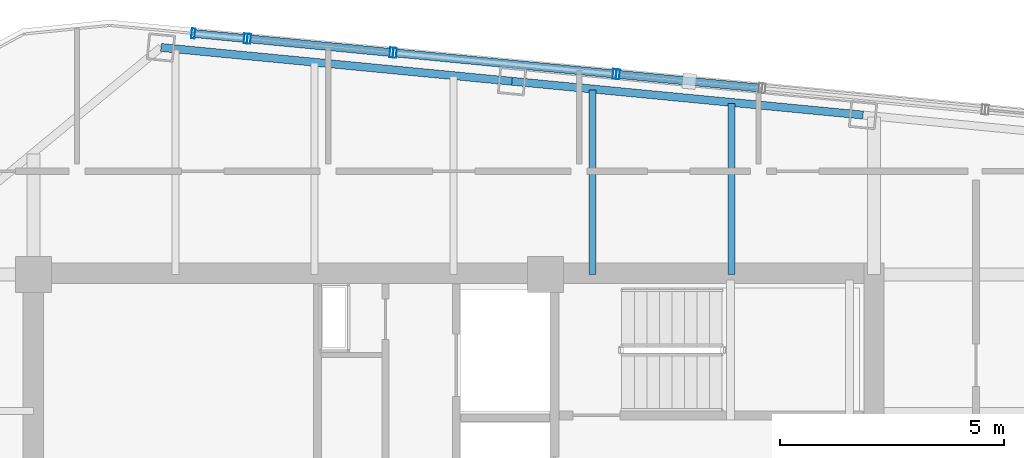
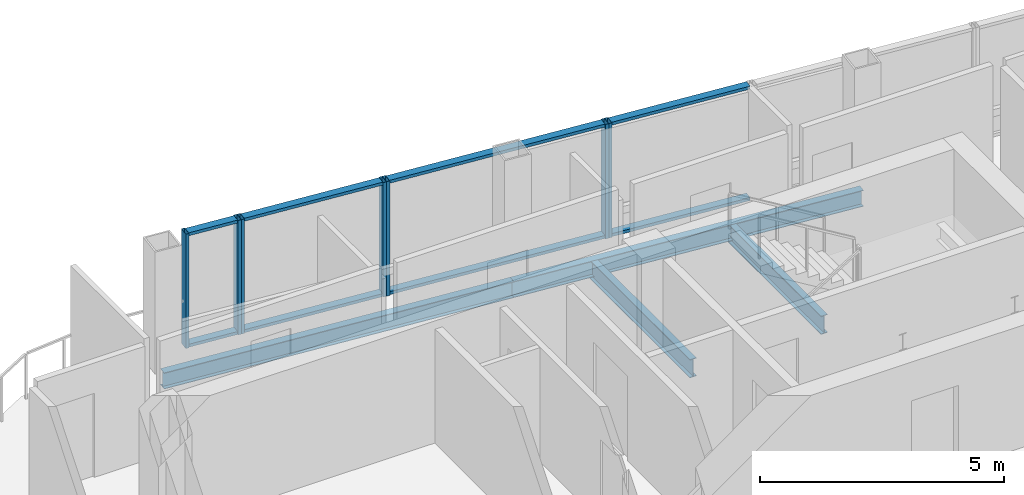
# One storey, part 17 of 27: 15 members, 4 beams, 4 elements without a shape of their own.
"""IFC4 building model written with IfcOpenShell, lengths in metres."""

from ifc_helpers import new_model, si_unit, direction, frame, origin, origin_2d, place, context, subcontext, project, spatial, hollow_rectangle, i_section, extrude, material, layer, layer_set, material_profile, profile_set, type_object, element, aggregate, save


model = new_model("IFC4")

# Units and contexts
model_context = context("Model", 3, precision=1e-05, world=origin(), true_north=direction((0.0, 1.0)))
body_context = subcontext(model_context, "Body", "Model", "MODEL_VIEW")
ifc_project = project(units=[si_unit("LENGTHUNIT", "METRE"), si_unit("AREAUNIT", "SQUARE_METRE"), si_unit("VOLUMEUNIT", "CUBIC_METRE"), si_unit("PLANEANGLEUNIT", "RADIAN"), si_unit("MASSUNIT", "GRAM", prefix="KILO")], contexts=[model_context])

# Site, building, storey
site_placement = place(None, origin())
site = spatial("IfcSite", under=ifc_project, at=site_placement, CompositionType="ELEMENT")
building_placement = place(site_placement, origin())
building = spatial("IfcBuilding", under=site, at=building_placement, Name="Qhalaya Broadcast Tower", CompositionType="ELEMENT")
storey_placement = place(building_placement, frame((0.0, 0.0, 258.10009765625)))
storey = spatial("IfcBuildingStorey", under=building, at=storey_placement, Name="L76", CompositionType="ELEMENT", Elevation=258.10009765625)

# Beams
ifc_material_1 = material(Name="Structural Steel ASTM A992 Grade 50", Category="steel")
ifc_material_profile_1 = material_profile(ifc_material_1, i_section(OverallWidth=0.154052734375, OverallDepth=0.458984375, WebThickness=0.009033203125, FlangeThickness=0.015380859375, at=origin_2d()), Name="W18X46")
ifc_profile_set_1 = profile_set([ifc_material_profile_1], Name="Structural Steel ASTM A992 Grade 50")
beam_type_1 = type_object("IfcBeamType", Name="Composite Floor Joist J04", PredefinedType="JOIST", material=ifc_profile_set_1)
beam_1_placement = place(storey_placement, frame((3.10009765625, 9.949951171875, -0.419677734375), z_axis=(0.0, 1.0, 0.0), x_axis=(-1.0, 0.0, 0.0)))
element("IfcBeam", 1, at=beam_1_placement, inside=storey, type_object=beam_type_1, Name="L76 J04 L76-JNN4-1", PredefinedType="JOIST", context=body_context, shape_type="SweptSolid", body=[
    extrude(i_section(OverallWidth=0.154052734375, OverallDepth=0.458984375, WebThickness=0.009033203125, FlangeThickness=0.015380859375, at=origin_2d()), origin(), (0.0, 0.0, 1.0), 4.11328125),
])
beam_2_placement = place(storey_placement, frame((6.199951171875, 9.949951171875, -0.419677734375), z_axis=(0.0, 1.0, 0.0), x_axis=(-1.0, 0.0, 0.0)))
element("IfcBeam", 2, at=beam_2_placement, inside=storey, type_object=beam_type_1, Name="L76 J04 L76-JNN5-1", PredefinedType="JOIST", context=body_context, shape_type="SweptSolid", body=[
    extrude(i_section(OverallWidth=0.154052734375, OverallDepth=0.458984375, WebThickness=0.009033203125, FlangeThickness=0.015380859375, at=origin_2d()), origin(), (0.0, 0.0, 1.0), 3.814697265625),
])

# Curtain wall, member
ifc_material_2 = material(Name="Solar-Control Low-E Triple Glazing", Category="glass")
ifc_layer_1 = layer(ifc_material_2, 0.219970703125, Name="Solar-Control Low-E Triple Glazing")
ifc_layer_set_1 = layer_set([ifc_layer_1], Name="Solar-Control Low-E Triple Glazing")
curtain_wall_type_1 = type_object("IfcCurtainWallType", Name="High-Altitude Upper-Shaft Triple Low-E Curtain Wall CW-04", PredefinedType="NOTDEFINED", material=ifc_layer_set_1)
curtain_wall_1_placement = place(storey_placement, origin())
curtain_wall_1 = element("IfcCurtainWall", 3, at=curtain_wall_1_placement, inside=storey, type_object=curtain_wall_type_1, Name="L76 Unitised Curtain Wall L76-CW-N4", PredefinedType="NOTDEFINED")
ifc_material_3 = material(Name="Anodised Aluminium 6063-T6", Category="aluminium")
ifc_material_profile_2 = material_profile(ifc_material_3, hollow_rectangle(XDim=0.074951171875, YDim=0.219970703125, WallThickness=0.00390625, at=origin_2d()), Name="ALU-MUL 75x220x4")
ifc_profile_set_2 = profile_set([ifc_material_profile_2], Name="Anodised Aluminium 6063-T6")
member_type_1 = type_object("IfcMemberType", Name="Unitised Curtain-Wall Mullion M01", PredefinedType="MULLION", material=ifc_profile_set_2)
member_1_placement = place(storey_placement, frame((3.66552734375, 14.41064453125, 0.0), z_axis=(0.0, 0.0, 1.0), x_axis=(-0.995396959799, 0.095837844424, 0.0)))
member_1 = element("IfcMember", 4, at=member_1_placement, type_object=member_type_1, Name="CW-04 mullion 2", PredefinedType="MULLION", context=body_context, shape_type="SweptSolid", body=[
    extrude(hollow_rectangle(XDim=0.074951171875, YDim=0.219970703125, WallThickness=0.00390625, at=origin_2d()), origin(), (0.0, 0.0, 1.0), 2.85986328125),
])

# Curtain wall, members
ifc_material_4 = material(Name="Fired Architectural Terracotta", Category="masonry")
ifc_layer_2 = layer(ifc_material_4, 0.219970703125, Name="Fired Architectural Terracotta")
ifc_layer_set_2 = layer_set([ifc_layer_2], Name="Fired Architectural Terracotta")
curtain_wall_type_2 = type_object("IfcCurtainWallType", Name="Block-Cap Unitised Terracotta Spandrel Wall CW-07", PredefinedType="NOTDEFINED", material=ifc_layer_set_2)
curtain_wall_2_placement = place(storey_placement, origin())
curtain_wall_2 = element("IfcCurtainWall", 5, at=curtain_wall_2_placement, inside=storey, type_object=curtain_wall_type_2, Name="L76 Unitised Curtain Wall L76-CW-N5", PredefinedType="NOTDEFINED")
member_2_placement = place(storey_placement, frame((3.591064453125, 14.417724609375, 0.0), z_axis=(0.0, 0.0, 1.0), x_axis=(-0.995394873929, 0.095859506338, 0.0)))
member_2 = element("IfcMember", 6, at=member_2_placement, type_object=member_type_1, Name="CW-07 mullion 1", PredefinedType="MULLION", context=body_context, shape_type="SweptSolid", body=[
    extrude(hollow_rectangle(XDim=0.074951171875, YDim=0.219970703125, WallThickness=0.00390625, at=origin_2d()), origin(), (0.0, 0.0, 1.0), 2.85986328125),
])
member_3_placement = place(storey_placement, frame((-1.311279296875, 14.889892578125, 0.0), z_axis=(0.0, 0.0, 1.0), x_axis=(-0.995394873929, 0.095859506338, 0.0)))
member_3 = element("IfcMember", 7, at=member_3_placement, type_object=member_type_1, Name="CW-07 mullion 2", PredefinedType="MULLION", context=body_context, shape_type="SweptSolid", body=[
    extrude(hollow_rectangle(XDim=0.074951171875, YDim=0.219970703125, WallThickness=0.00390625, at=origin_2d()), origin(), (0.0, 0.0, 1.0), 2.85986328125),
])

curtain_wall_3_placement = place(storey_placement, origin())
curtain_wall_3 = element("IfcCurtainWall", 8, at=curtain_wall_3_placement, inside=storey, type_object=curtain_wall_type_1, Name="L76 Unitised Curtain Wall L76-CW-N6", PredefinedType="NOTDEFINED")
member_4_placement = place(storey_placement, frame((-1.385986328125, 14.89697265625, 0.0), z_axis=(0.0, 0.0, 1.0), x_axis=(-0.995397132343, 0.095836052317, 0.0)))
member_4 = element("IfcMember", 9, at=member_4_placement, type_object=member_type_1, Name="CW-04 mullion 1", PredefinedType="MULLION", context=body_context, shape_type="SweptSolid", body=[
    extrude(hollow_rectangle(XDim=0.074951171875, YDim=0.219970703125, WallThickness=0.00390625, at=origin_2d()), origin(), (0.0, 0.0, 1.0), 2.85986328125),
])
member_5_placement = place(storey_placement, frame((-4.5634765625, 15.203125, 0.0), z_axis=(0.0, 0.0, 1.0), x_axis=(-0.995397132343, 0.095836052317, 0.0)))
member_5 = element("IfcMember", 10, at=member_5_placement, type_object=member_type_1, Name="CW-04 mullion 2", PredefinedType="MULLION", context=body_context, shape_type="SweptSolid", body=[
    extrude(hollow_rectangle(XDim=0.074951171875, YDim=0.219970703125, WallThickness=0.00390625, at=origin_2d()), origin(), (0.0, 0.0, 1.0), 2.85986328125),
])

curtain_wall_4_placement = place(storey_placement, origin())
curtain_wall_4 = element("IfcCurtainWall", 11, at=curtain_wall_4_placement, inside=storey, type_object=curtain_wall_type_2, Name="L76 Unitised Curtain Wall L76-CW-N7", PredefinedType="NOTDEFINED")
member_6_placement = place(storey_placement, frame((-4.637939453125, 15.210205078125, 0.0), z_axis=(0.0, 0.0, 1.0), x_axis=(-0.995396414656, 0.095843506251, 0.0)))
member_6 = element("IfcMember", 12, at=member_6_placement, type_object=member_type_1, Name="CW-07 mullion 1", PredefinedType="MULLION", context=body_context, shape_type="SweptSolid", body=[
    extrude(hollow_rectangle(XDim=0.074951171875, YDim=0.219970703125, WallThickness=0.00390625, at=origin_2d()), origin(), (0.0, 0.0, 1.0), 2.85986328125),
])
member_7_placement = place(storey_placement, frame((-5.8076171875, 15.32275390625, 0.0), z_axis=(0.0, 0.0, 1.0), x_axis=(-0.995396414656, 0.095843506251, 0.0)))
member_7 = element("IfcMember", 13, at=member_7_placement, type_object=member_type_1, Name="CW-07 mullion 2", PredefinedType="MULLION", context=body_context, shape_type="SweptSolid", body=[
    extrude(hollow_rectangle(XDim=0.074951171875, YDim=0.219970703125, WallThickness=0.00390625, at=origin_2d()), origin(), (0.0, 0.0, 1.0), 2.85986328125),
])

# Member
ifc_material_profile_3 = material_profile(ifc_material_3, hollow_rectangle(XDim=0.074951171875, YDim=0.179931640625, WallThickness=0.00390625, at=origin_2d()), Name="ALU-TRN 75x180x4")
ifc_profile_set_3 = profile_set([ifc_material_profile_3], Name="Anodised Aluminium 6063-T6")
member_type_2 = type_object("IfcMemberType", Name="Unitised Curtain-Wall Transom T01", PredefinedType="USERDEFINED", material=ifc_profile_set_3)
member_8_placement = place(storey_placement, frame((6.804443359375, 14.1083984375, 0.037353515625), z_axis=(-0.995398112341, 0.095825873063, 0.0), x_axis=(0.0, 0.0, 1.0)))
member_8 = element("IfcMember", 14, at=member_8_placement, type_object=member_type_2, Name="CW-04 transom 1.1", ObjectType="TRANSOM", PredefinedType="USERDEFINED", context=body_context, shape_type="SweptSolid", body=[
    extrude(hollow_rectangle(XDim=0.074951171875, YDim=0.179931640625, WallThickness=0.00390625, at=origin_2d()), origin(), (0.0, 0.0, 1.0), 3.115966796875),
])

member_9_placement = place(storey_placement, frame((6.804443359375, 14.1083984375, 2.822509765625), z_axis=(-0.995398112341, 0.095825873063, 0.0), x_axis=(0.0, 0.0, 1.0)))
member_9 = element("IfcMember", 15, at=member_9_placement, type_object=member_type_2, Name="CW-04 transom 1.2", ObjectType="TRANSOM", PredefinedType="USERDEFINED", context=body_context, shape_type="SweptSolid", body=[
    extrude(hollow_rectangle(XDim=0.074951171875, YDim=0.179931640625, WallThickness=0.00390625, at=origin_2d()), origin(), (0.0, 0.0, 1.0), 3.115966796875),
])

aggregate(curtain_wall_1, [member_1, member_8, member_9])

member_10_placement = place(storey_placement, frame((3.5537109375, 14.42138671875, 0.037353515625), z_axis=(-0.995396292684, 0.095844772998, 0.0), x_axis=(0.0, 0.0, 1.0)))
member_10 = element("IfcMember", 16, at=member_10_placement, type_object=member_type_2, Name="CW-07 transom 1.1", ObjectType="TRANSOM", PredefinedType="USERDEFINED", context=body_context, shape_type="SweptSolid", body=[
    extrude(hollow_rectangle(XDim=0.074951171875, YDim=0.179931640625, WallThickness=0.00390625, at=origin_2d()), origin(), (0.0, 0.0, 1.0), 4.849853515625),
])

member_11_placement = place(storey_placement, frame((3.5537109375, 14.42138671875, 2.822509765625), z_axis=(-0.995396292684, 0.095844772998, 0.0), x_axis=(0.0, 0.0, 1.0)))
member_11 = element("IfcMember", 17, at=member_11_placement, type_object=member_type_2, Name="CW-07 transom 1.2", ObjectType="TRANSOM", PredefinedType="USERDEFINED", context=body_context, shape_type="SweptSolid", body=[
    extrude(hollow_rectangle(XDim=0.074951171875, YDim=0.179931640625, WallThickness=0.00390625, at=origin_2d()), origin(), (0.0, 0.0, 1.0), 4.849853515625),
])

aggregate(curtain_wall_2, [member_2, member_3, member_10, member_11])

member_12_placement = place(storey_placement, frame((-1.42333984375, 14.900634765625, 0.037353515625), z_axis=(-0.995394236789, 0.095866122105, 0.0), x_axis=(0.0, 0.0, 1.0)))
member_12 = element("IfcMember", 18, at=member_12_placement, type_object=member_type_2, Name="CW-04 transom 1.1", ObjectType="TRANSOM", PredefinedType="USERDEFINED", context=body_context, shape_type="SweptSolid", body=[
    extrude(hollow_rectangle(XDim=0.074951171875, YDim=0.179931640625, WallThickness=0.00390625, at=origin_2d()), origin(), (0.0, 0.0, 1.0), 3.1171875),
])

member_13_placement = place(storey_placement, frame((-1.42333984375, 14.900634765625, 2.822509765625), z_axis=(-0.995394236789, 0.095866122105, 0.0), x_axis=(0.0, 0.0, 1.0)))
member_13 = element("IfcMember", 19, at=member_13_placement, type_object=member_type_2, Name="CW-04 transom 1.2", ObjectType="TRANSOM", PredefinedType="USERDEFINED", context=body_context, shape_type="SweptSolid", body=[
    extrude(hollow_rectangle(XDim=0.074951171875, YDim=0.179931640625, WallThickness=0.00390625, at=origin_2d()), origin(), (0.0, 0.0, 1.0), 3.1171875),
])

aggregate(curtain_wall_3, [member_4, member_5, member_12, member_13])

member_14_placement = place(storey_placement, frame((-4.67529296875, 15.2138671875, 0.037353515625), z_axis=(-0.995414313875, 0.095657429048, 0.0), x_axis=(0.0, 0.0, 1.0)))
member_14 = element("IfcMember", 20, at=member_14_placement, type_object=member_type_2, Name="CW-07 transom 1.1", ObjectType="TRANSOM", PredefinedType="USERDEFINED", context=body_context, shape_type="SweptSolid", body=[
    extrude(hollow_rectangle(XDim=0.074951171875, YDim=0.179931640625, WallThickness=0.00390625, at=origin_2d()), origin(), (0.0, 0.0, 1.0), 1.10009765625),
])

member_15_placement = place(storey_placement, frame((-4.67529296875, 15.2138671875, 2.822509765625), z_axis=(-0.995414313875, 0.095657429048, 0.0), x_axis=(0.0, 0.0, 1.0)))
member_15 = element("IfcMember", 21, at=member_15_placement, type_object=member_type_2, Name="CW-07 transom 1.2", ObjectType="TRANSOM", PredefinedType="USERDEFINED", context=body_context, shape_type="SweptSolid", body=[
    extrude(hollow_rectangle(XDim=0.074951171875, YDim=0.179931640625, WallThickness=0.00390625, at=origin_2d()), origin(), (0.0, 0.0, 1.0), 1.10009765625),
])

aggregate(curtain_wall_4, [member_6, member_7, member_14, member_15])

# Beams
ifc_material_profile_4 = material_profile(ifc_material_1, i_section(OverallWidth=0.177978515625, OverallDepth=0.406005859375, WebThickness=0.0078125, FlangeThickness=0.0126953125, at=origin_2d()), Name="W16X40")
ifc_profile_set_4 = profile_set([ifc_material_profile_4], Name="Structural Steel ASTM A992 Grade 50")
beam_type_2 = type_object("IfcBeamType", Name="Upper Perimeter Spandrel Beam SP2", PredefinedType="SPANDREL", material=ifc_profile_set_4)
beam_3_placement = place(storey_placement, frame((9.132568359375, 13.50244140625, -0.39306640625), z_axis=(-0.995397308407, 0.095834223619, 0.0), x_axis=(-0.095834223619, -0.995397308407, 0.0)))
element("IfcBeam", 22, at=beam_3_placement, inside=storey, type_object=beam_type_2, Name="L76 SP2 L76-SPR-10", PredefinedType="SPANDREL", context=body_context, shape_type="SweptSolid", body=[
    extrude(i_section(OverallWidth=0.177978515625, OverallDepth=0.406005859375, WebThickness=0.0078125, FlangeThickness=0.0126953125, at=origin_2d()), origin(), (0.0, 0.0, 1.0), 7.86669921875),
])
beam_4_placement = place(storey_placement, frame((1.302001953125, 14.25634765625, -0.39306640625), z_axis=(-0.995394062251, 0.095867934346, 0.0), x_axis=(-0.095867934346, -0.995394062251, 0.0)))
element("IfcBeam", 23, at=beam_4_placement, inside=storey, type_object=beam_type_2, Name="L76 SP2 L76-SPR-11", PredefinedType="SPANDREL", context=body_context, shape_type="SweptSolid", body=[
    extrude(i_section(OverallWidth=0.177978515625, OverallDepth=0.406005859375, WebThickness=0.0078125, FlangeThickness=0.0126953125, at=origin_2d()), origin(), (0.0, 0.0, 1.0), 7.866455078125),
])

save(model, "model.ifc")
